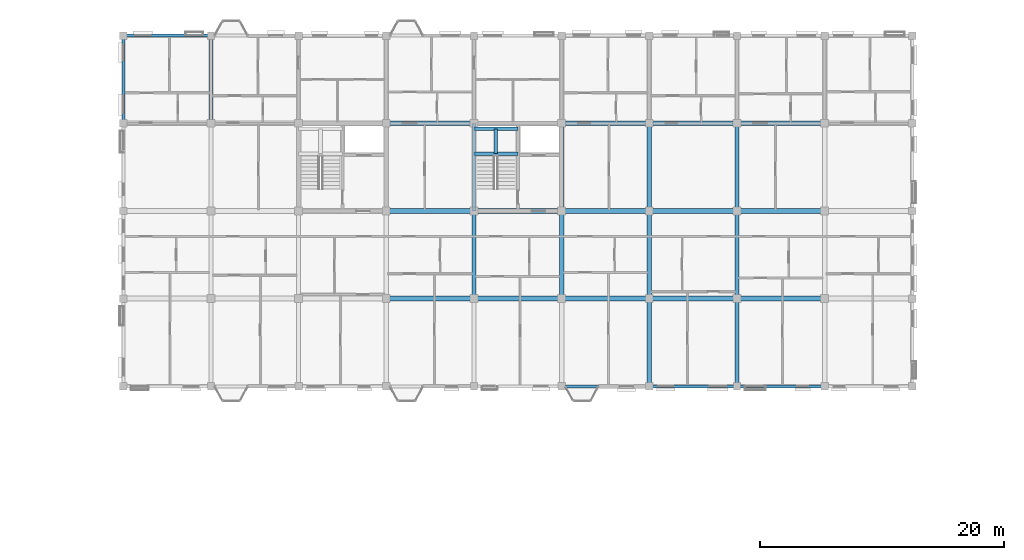
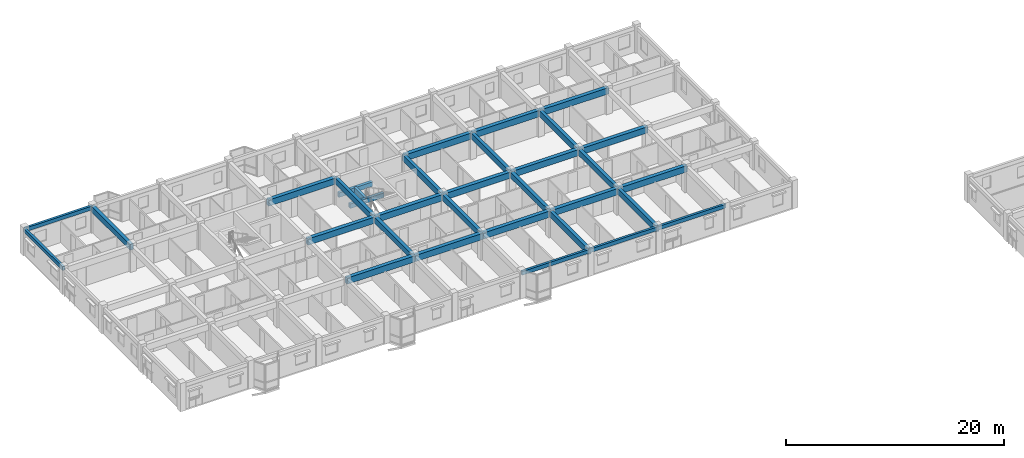
# One storey, part 66 of 124: 33 beams.
"""IFC4 building model written with IfcOpenShell, lengths in metres."""

from ifc_helpers import new_model, si_unit, direction, frame, origin, origin_2d, place, context, subcontext, project, spatial, rectangle, extrude, material, material_profile, profile_set, type_object, element, save


model = new_model("IFC4")

# Units and contexts
model_context = context("Model", 3, precision=1e-05, world=origin(), true_north=direction((0.0, 1.0)))
body_context = subcontext(model_context, "Body", "Model", "MODEL_VIEW")
ifc_project = project(units=[si_unit("LENGTHUNIT", "METRE"), si_unit("AREAUNIT", "SQUARE_METRE"), si_unit("VOLUMEUNIT", "CUBIC_METRE"), si_unit("PLANEANGLEUNIT", "RADIAN"), si_unit("MASSUNIT", "GRAM", prefix="KILO"), si_unit("THERMODYNAMICTEMPERATUREUNIT", "KELVIN"), si_unit("POWERUNIT", "WATT")], contexts=[model_context])

# Site, building, storey
site_placement = place(None, origin())
site = spatial("IfcSite", under=ifc_project, at=site_placement, CompositionType="ELEMENT")
building_placement = place(site_placement, origin())
building = spatial("IfcBuilding", under=site, at=building_placement, Name="Tavuni Mirador Residences", CompositionType="ELEMENT")
storey_placement = place(building_placement, frame((0.0, 0.0, 7.64990234375)))
storey = spatial("IfcBuildingStorey", under=building, at=storey_placement, Name="L02", CompositionType="ELEMENT", Elevation=7.64990234375)

# Beams
ifc_material = material(Name="Precast concrete C40/50", Category="concrete")
ifc_material_profile_1 = material_profile(ifc_material, rectangle(XDim=0.300048828125, YDim=0.5, at=origin_2d()), Name="PC 300x500", Category="concrete")
ifc_profile_set_1 = profile_set([ifc_material_profile_1], Name="Precast concrete C40/50")
beam_type_1 = type_object("IfcBeamType", Name="BT-B500", PredefinedType="BEAM", material=ifc_profile_set_1)
for number, where, z_axis, x_axis, name in (
    (1, (39.60009765625, 163.10009765625, 1.14501953125), (1.0, 0.0, 0.0), (0.0, 1.0, 0.0), "HLB1-C6-L02"),
    (2, (39.60009765625, 165.14990234375, 1.14501953125), (1.0, 0.0, 0.0), (0.0, 1.0, 0.0), "HLB2-C6-L02"),
):
    element("IfcBeam", number, at=place(storey_placement, frame(where, z_axis=z_axis, x_axis=x_axis)), inside=storey, type_object=beam_type_1, Name=name, PredefinedType="BEAM", context=body_context, shape_type="SweptSolid", body=[
        extrude(rectangle(XDim=0.300048828125, YDim=0.5, at=origin_2d()), origin(), (0.0, 0.0, 1.0), 3.599853515625),
    ])
beam_1_placement = place(storey_placement, frame((41.39990234375, 163.10009765625, 1.14501953125), z_axis=(0.0, 1.0, 0.0), x_axis=(-1.0, 0.0, 0.0)))
element("IfcBeam", 3, at=beam_1_placement, inside=storey, type_object=beam_type_1, Name="HLB3-C6-L02", PredefinedType="BEAM", context=body_context, shape_type="SweptSolid", body=[
    extrude(rectangle(XDim=0.300048828125, YDim=0.5, at=origin_2d()), origin(), (0.0, 0.0, 1.0), 2.0498046875),
])
ifc_material_profile_2 = material_profile(ifc_material, rectangle(XDim=0.35009765625, YDim=0.64990234375, at=origin_2d()), Name="PC 350x650", Category="concrete")
ifc_profile_set_2 = profile_set([ifc_material_profile_2], Name="Precast concrete C40/50")
beam_type_2 = type_object("IfcBeamType", Name="BT-B650", PredefinedType="BEAM", material=ifc_profile_set_2)
for number, where, z_axis, x_axis, name in (
    (4, (18.0, 165.60009765625, 2.56005859375), (0.0, 1.0, 0.0), (-1.0, 0.0, 0.0), "BMY-BLK-C-L02-01-03"),
    (5, (39.60009765625, 151.199951171875, 2.56005859375), (0.0, 1.0, 0.0), (-1.0, 0.0, 0.0), "BMY-BLK-C-L02-04-01"),
):
    element("IfcBeam", number, at=place(storey_placement, frame(where, z_axis=z_axis, x_axis=x_axis)), inside=storey, type_object=beam_type_2, Name=name, PredefinedType="BEAM", context=body_context, shape_type="SweptSolid", body=[
        extrude(rectangle(XDim=0.35009765625, YDim=0.64990234375, at=origin_2d()), origin(), (0.0, 0.0, 1.0), 7.199951171875),
    ])
beam_2_placement = place(storey_placement, frame((39.60009765625, 158.39990234375, 2.56005859375), z_axis=(0.0, 1.0, 0.0), x_axis=(-1.0, 0.0, 0.0)))
element("IfcBeam", 6, at=beam_2_placement, inside=storey, type_object=beam_type_2, Name="BMY-BLK-C-L02-04-02", PredefinedType="BEAM", context=body_context, shape_type="SweptSolid", body=[
    extrude(rectangle(XDim=0.35009765625, YDim=0.64990234375, at=origin_2d()), origin(), (0.0, 0.0, 1.0), 7.2001953125),
])
beam_3_placement = place(storey_placement, frame((46.800048828125, 151.199951171875, 2.56005859375), z_axis=(0.0, 1.0, 0.0), x_axis=(-1.0, 0.0, 0.0)))
element("IfcBeam", 7, at=beam_3_placement, inside=storey, type_object=beam_type_2, Name="BMY-BLK-C-L02-05-01", PredefinedType="BEAM", context=body_context, shape_type="SweptSolid", body=[
    extrude(rectangle(XDim=0.35009765625, YDim=0.64990234375, at=origin_2d()), origin(), (0.0, 0.0, 1.0), 7.199951171875),
])
beam_4_placement = place(storey_placement, frame((46.800048828125, 158.39990234375, 2.56005859375), z_axis=(0.0, 1.0, 0.0), x_axis=(-1.0, 0.0, 0.0)))
element("IfcBeam", 8, at=beam_4_placement, inside=storey, type_object=beam_type_2, Name="BMY-BLK-C-L02-05-02", PredefinedType="BEAM", context=body_context, shape_type="SweptSolid", body=[
    extrude(rectangle(XDim=0.35009765625, YDim=0.64990234375, at=origin_2d()), origin(), (0.0, 0.0, 1.0), 7.2001953125),
])
for number, where, z_axis, x_axis, name in (
    (9, (54.0, 144.0, 2.56005859375), (0.0, 1.0, 0.0), (-1.0, 0.0, 0.0), "BMY-BLK-C-L02-06-00"),
    (10, (54.0, 151.199951171875, 2.56005859375), (0.0, 1.0, 0.0), (-1.0, 0.0, 0.0), "BMY-BLK-C-L02-06-01"),
):
    element("IfcBeam", number, at=place(storey_placement, frame(where, z_axis=z_axis, x_axis=x_axis)), inside=storey, type_object=beam_type_2, Name=name, PredefinedType="BEAM", context=body_context, shape_type="SweptSolid", body=[
        extrude(rectangle(XDim=0.35009765625, YDim=0.64990234375, at=origin_2d()), origin(), (0.0, 0.0, 1.0), 7.199951171875),
    ])
beam_5_placement = place(storey_placement, frame((54.0, 158.39990234375, 2.56005859375), z_axis=(0.0, 1.0, 0.0), x_axis=(-1.0, 0.0, 0.0)))
element("IfcBeam", 11, at=beam_5_placement, inside=storey, type_object=beam_type_2, Name="BMY-BLK-C-L02-06-02", PredefinedType="BEAM", context=body_context, shape_type="SweptSolid", body=[
    extrude(rectangle(XDim=0.35009765625, YDim=0.64990234375, at=origin_2d()), origin(), (0.0, 0.0, 1.0), 7.2001953125),
])
for number, where, z_axis, x_axis, name in (
    (12, (61.199951171875, 144.0, 2.56005859375), (0.0, 1.0, 0.0), (-1.0, 0.0, 0.0), "BMY-BLK-C-L02-07-00"),
    (13, (61.199951171875, 151.199951171875, 2.56005859375), (0.0, 1.0, 0.0), (-1.0, 0.0, 0.0), "BMY-BLK-C-L02-07-01"),
):
    element("IfcBeam", number, at=place(storey_placement, frame(where, z_axis=z_axis, x_axis=x_axis)), inside=storey, type_object=beam_type_2, Name=name, PredefinedType="BEAM", context=body_context, shape_type="SweptSolid", body=[
        extrude(rectangle(XDim=0.35009765625, YDim=0.64990234375, at=origin_2d()), origin(), (0.0, 0.0, 1.0), 7.199951171875),
    ])
beam_6_placement = place(storey_placement, frame((61.199951171875, 158.39990234375, 2.56005859375), z_axis=(0.0, 1.0, 0.0), x_axis=(-1.0, 0.0, 0.0)))
element("IfcBeam", 14, at=beam_6_placement, inside=storey, type_object=beam_type_2, Name="BMY-BLK-C-L02-07-02", PredefinedType="BEAM", context=body_context, shape_type="SweptSolid", body=[
    extrude(rectangle(XDim=0.35009765625, YDim=0.64990234375, at=origin_2d()), origin(), (0.0, 0.0, 1.0), 7.2001953125),
])
ifc_material_profile_3 = material_profile(ifc_material, rectangle(XDim=0.39990234375, YDim=0.699951171875, at=origin_2d()), Name="PC 400x700", Category="concrete")
ifc_profile_set_3 = profile_set([ifc_material_profile_3], Name="Precast concrete C40/50")
beam_type_3 = type_object("IfcBeamType", Name="BT-B700", PredefinedType="BEAM", material=ifc_profile_set_3)
beam_7_placement = place(storey_placement, frame((32.39990234375, 151.199951171875, 2.53515625), z_axis=(1.0, 0.0, 0.0), x_axis=(0.0, 1.0, 0.0)))
element("IfcBeam", 15, at=beam_7_placement, inside=storey, type_object=beam_type_3, Name="BMX-BLK-C-L02-03-01", PredefinedType="BEAM", context=body_context, shape_type="SweptSolid", body=[
    extrude(rectangle(XDim=0.39990234375, YDim=0.699951171875, at=origin_2d()), origin(), (0.0, 0.0, 1.0), 7.2001953125),
])
for number, where, z_axis, x_axis, name in (
    (16, (39.60009765625, 151.199951171875, 2.53515625), (1.0, 0.0, 0.0), (0.0, 1.0, 0.0), "BMX-BLK-C-L02-04-01"),
    (17, (46.800048828125, 151.199951171875, 2.53515625), (1.0, 0.0, 0.0), (0.0, 1.0, 0.0), "BMX-BLK-C-L02-05-01"),
    (18, (54.0, 151.199951171875, 2.53515625), (1.0, 0.0, 0.0), (0.0, 1.0, 0.0), "BMX-BLK-C-L02-06-01"),
    (19, (61.199951171875, 151.199951171875, 2.53515625), (1.0, 0.0, 0.0), (0.0, 1.0, 0.0), "BMX-BLK-C-L02-07-01"),
):
    element("IfcBeam", number, at=place(storey_placement, frame(where, z_axis=z_axis, x_axis=x_axis)), inside=storey, type_object=beam_type_3, Name=name, PredefinedType="BEAM", context=body_context, shape_type="SweptSolid", body=[
        extrude(rectangle(XDim=0.39990234375, YDim=0.699951171875, at=origin_2d()), origin(), (0.0, 0.0, 1.0), 7.199951171875),
    ])
beam_8_placement = place(storey_placement, frame((32.39990234375, 158.39990234375, 2.53515625), z_axis=(1.0, 0.0, 0.0), x_axis=(0.0, 1.0, 0.0)))
element("IfcBeam", 20, at=beam_8_placement, inside=storey, type_object=beam_type_3, Name="BMX-BLK-C-L02-03-02", PredefinedType="BEAM", context=body_context, shape_type="SweptSolid", body=[
    extrude(rectangle(XDim=0.39990234375, YDim=0.699951171875, at=origin_2d()), origin(), (0.0, 0.0, 1.0), 7.2001953125),
])
for number, where, z_axis, x_axis, name in (
    (21, (39.60009765625, 158.39990234375, 2.53515625), (1.0, 0.0, 0.0), (0.0, 1.0, 0.0), "BMX-BLK-C-L02-04-02"),
    (22, (46.800048828125, 158.39990234375, 2.53515625), (1.0, 0.0, 0.0), (0.0, 1.0, 0.0), "BMX-BLK-C-L02-05-02"),
    (23, (54.0, 158.39990234375, 2.53515625), (1.0, 0.0, 0.0), (0.0, 1.0, 0.0), "BMX-BLK-C-L02-06-02"),
    (24, (61.199951171875, 158.39990234375, 2.53515625), (1.0, 0.0, 0.0), (0.0, 1.0, 0.0), "BMX-BLK-C-L02-07-02"),
):
    element("IfcBeam", number, at=place(storey_placement, frame(where, z_axis=z_axis, x_axis=x_axis)), inside=storey, type_object=beam_type_3, Name=name, PredefinedType="BEAM", context=body_context, shape_type="SweptSolid", body=[
        extrude(rectangle(XDim=0.39990234375, YDim=0.699951171875, at=origin_2d()), origin(), (0.0, 0.0, 1.0), 7.199951171875),
    ])
beam_9_placement = place(storey_placement, frame((32.39990234375, 165.60009765625, 2.53515625), z_axis=(1.0, 0.0, 0.0), x_axis=(0.0, 1.0, 0.0)))
element("IfcBeam", 25, at=beam_9_placement, inside=storey, type_object=beam_type_3, Name="BMX-BLK-C-L02-03-03", PredefinedType="BEAM", context=body_context, shape_type="SweptSolid", body=[
    extrude(rectangle(XDim=0.39990234375, YDim=0.699951171875, at=origin_2d()), origin(), (0.0, 0.0, 1.0), 7.2001953125),
])
for number, where, z_axis, x_axis, name in (
    (26, (46.800048828125, 165.60009765625, 2.53515625), (1.0, 0.0, 0.0), (0.0, 1.0, 0.0), "BMX-BLK-C-L02-05-03"),
    (27, (54.0, 165.60009765625, 2.53515625), (1.0, 0.0, 0.0), (0.0, 1.0, 0.0), "BMX-BLK-C-L02-06-03"),
    (28, (61.199951171875, 165.60009765625, 2.53515625), (1.0, 0.0, 0.0), (0.0, 1.0, 0.0), "BMX-BLK-C-L02-07-03"),
):
    element("IfcBeam", number, at=place(storey_placement, frame(where, z_axis=z_axis, x_axis=x_axis)), inside=storey, type_object=beam_type_3, Name=name, PredefinedType="BEAM", context=body_context, shape_type="SweptSolid", body=[
        extrude(rectangle(XDim=0.39990234375, YDim=0.699951171875, at=origin_2d()), origin(), (0.0, 0.0, 1.0), 7.199951171875),
    ])
ifc_material_profile_4 = material_profile(ifc_material, rectangle(XDim=0.25, YDim=0.419921875, at=origin_2d()), Name="PC 250x420", Category="concrete")
ifc_profile_set_4 = profile_set([ifc_material_profile_4], Name="Precast concrete C40/50")
beam_type_4 = type_object("IfcBeamType", Name="BT-SP420", PredefinedType="SPANDREL", material=ifc_profile_set_4)
for number, where, z_axis, x_axis, name in (
    (29, (46.800048828125, 144.0, 2.675048828125), (1.0, 0.0, 0.0), (0.0, 1.0, 0.0), "BMX-BLK-C-L02-05-00"),
    (30, (54.0, 144.0, 2.675048828125), (1.0, 0.0, 0.0), (0.0, 1.0, 0.0), "BMX-BLK-C-L02-06-00"),
    (31, (61.199951171875, 144.0, 2.675048828125), (1.0, 0.0, 0.0), (0.0, 1.0, 0.0), "BMX-BLK-C-L02-07-00"),
    (32, (10.800048828125, 172.800048828125, 2.675048828125), (1.0, 0.0, 0.0), (0.0, 1.0, 0.0), "BMX-BLK-C-L02-00-04"),
    (33, (10.800048828125, 165.60009765625, 2.675048828125), (0.0, 1.0, 0.0), (-1.0, 0.0, 0.0), "BMY-BLK-C-L02-00-03"),
):
    element("IfcBeam", number, at=place(storey_placement, frame(where, z_axis=z_axis, x_axis=x_axis)), inside=storey, type_object=beam_type_4, Name=name, PredefinedType="SPANDREL", context=body_context, shape_type="SweptSolid", body=[
        extrude(rectangle(XDim=0.25, YDim=0.419921875, at=origin_2d()), origin(), (0.0, 0.0, 1.0), 7.199951171875),
    ])

save(model, "model.ifc")
